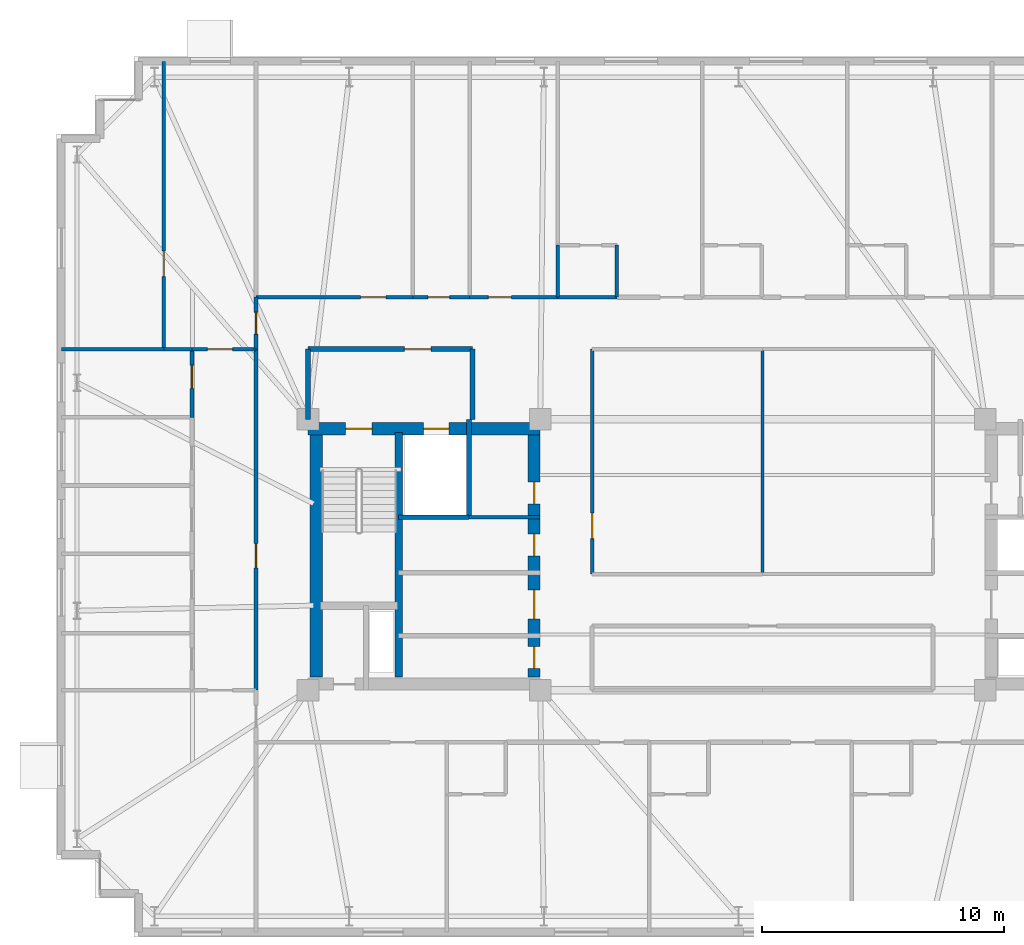
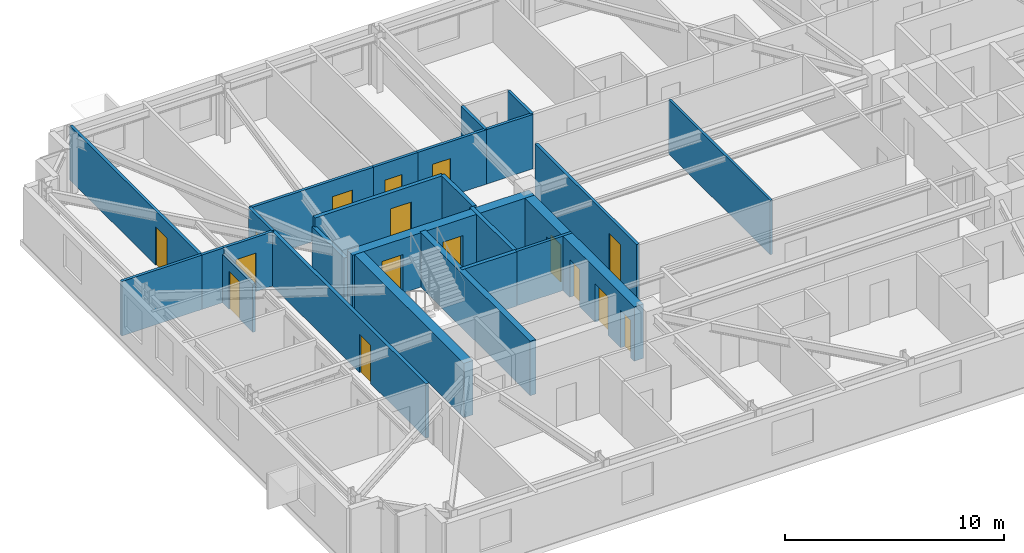
# One storey, part 12 of 18: 25 walls, 16 doors, 16 openings.
"""IFC4 building model written with IfcOpenShell, lengths in metres."""

import ifcopenshell
import ifcopenshell.guid

model = None  # the IFC model being written
_history = None  # IfcOwnerHistory: only IFC2X3 demands one
_inside = {}  # id of a spatial element -> (the spatial element, [elements in it])
_under = {}  # id of a project, library or spatial element -> (it, [spatial elements below it])
_declared = {}  # id of a project -> (the project, [libraries it declares])
_typed = {}  # id of a type object -> (the type object, [elements of that type])
_made_of = {}  # id of a material, layer set ... -> (it, [elements and type objects made of it])


def new_model(schema):
    """Start an empty IFC model of exactly this schema.

    Asked for "IFC4X3", IfcOpenShell would pick the latest addendum, in which some entities
    have other attributes; the version numbers below select the first issue.
    IFC2X3 requires an IfcOwnerHistory on every rooted entity: one is made here for all.
    """
    global model, _history
    if schema == "IFC4X3":
        model = ifcopenshell.file(schema_version=(4, 3, 0, 0))
    else:
        model = ifcopenshell.file(schema=schema)
    _inside.clear()
    _under.clear()
    _declared.clear()
    _typed.clear()
    _made_of.clear()
    _history = None
    if model.schema == "IFC2X3":
        org = make("IfcOrganization", Name="unknown")
        user = make(
            "IfcPersonAndOrganization",
            ThePerson=make("IfcPerson", FamilyName="unknown"),
            TheOrganization=org,
        )
        app = make(
            "IfcApplication",
            ApplicationDeveloper=org,
            Version="unknown",
            ApplicationFullName="unknown",
            ApplicationIdentifier="unknown",
        )
        _history = make(
            "IfcOwnerHistory",
            OwningUser=user,
            OwningApplication=app,
            ChangeAction="ADDED",
            CreationDate=0,
        )
    return model


def make(cls, **values):
    """One entity of the class cls with the attributes given. An attribute that is None is left unset."""
    return model.create_entity(
        cls, **{name: value for name, value in values.items() if value is not None}
    )


def rooted(cls, **values):
    """An entity with a GlobalId (a new one), such as an element, a storey or a relation."""
    return make(cls, GlobalId=ifcopenshell.guid.new(), OwnerHistory=_history, **values)


def si_unit(unit_type, name, prefix=None):
    """IfcSIUnit, for example si_unit("LENGTHUNIT", "METRE", prefix="MILLI")."""
    return make("IfcSIUnit", UnitType=unit_type, Prefix=prefix, Name=name)


def assignment(units):
    """IfcUnitAssignment: the units of a project."""
    return None if units is None else make("IfcUnitAssignment", Units=units)


def point(xyz):
    """IfcCartesianPoint."""
    return None if xyz is None else make("IfcCartesianPoint", Coordinates=xyz)


def direction(xyz):
    """IfcDirection."""
    return None if xyz is None else make("IfcDirection", DirectionRatios=xyz)


def frame(location, z_axis=None, x_axis=None):
    """IfcAxis2Placement3D, a coordinate frame: its origin and axes. An axis left out is left unset."""
    return make(
        "IfcAxis2Placement3D",
        Location=point(location),
        Axis=direction(z_axis),
        RefDirection=direction(x_axis),
    )


def frame_2d(location, x_axis=None):
    """IfcAxis2Placement2D, a coordinate frame in the plane: its origin and x axis."""
    return make(
        "IfcAxis2Placement2D", Location=point(location), RefDirection=direction(x_axis)
    )


def origin():
    """The frame at (0, 0, 0) with its axes left unset."""
    return frame((0.0, 0.0, 0.0))


def place(relative_to, where):
    """IfcLocalPlacement: puts the frame where relative to a parent placement (None: the world)."""
    return make(
        "IfcLocalPlacement", PlacementRelTo=relative_to, RelativePlacement=where
    )


def context(
    kind, dimensions, precision=None, world=None, true_north=None, identifier=None
):
    """IfcGeometricRepresentationContext, for example the 3D "Model" context."""
    return make(
        "IfcGeometricRepresentationContext",
        ContextIdentifier=identifier,
        ContextType=kind,
        CoordinateSpaceDimension=dimensions,
        Precision=precision,
        WorldCoordinateSystem=world,
        TrueNorth=true_north,
    )


def subcontext(parent, identifier, kind, view, scale=None):
    """IfcGeometricRepresentationSubContext, for example "Body" below "Model"."""
    return make(
        "IfcGeometricRepresentationSubContext",
        ContextIdentifier=identifier,
        ContextType=kind,
        ParentContext=parent,
        TargetScale=scale,
        TargetView=view,
    )


def project(units=None, contexts=None):
    """IfcProject with its units and contexts."""
    return rooted(
        "IfcProject",
        Name="project",
        RepresentationContexts=contexts,
        UnitsInContext=assignment(units),
    )


def spatial(cls, under=None, at=None, **own):
    """A site, building, storey or space (cls), placed at a placement, below another one or the project."""
    s = rooted(cls, ObjectPlacement=at, **own)
    if under is not None:
        _under.setdefault(under.id(), (under, []))[1].append(s)
    return s


def profile(cls, at=None, kind="AREA", **sizes):
    """A parametric profile (cls). Its sizes go by their IFC names, for example OverallWidth=200.0."""
    return make(cls, ProfileType=kind, Position=at, **sizes)


def rectangle(**sizes):
    """IfcRectangleProfileDef."""
    return profile("IfcRectangleProfileDef", **sizes)


def extrude(swept, where, along, depth):
    """IfcExtrudedAreaSolid: the profile swept, set in the frame where, extruded along a direction by depth."""
    return make(
        "IfcExtrudedAreaSolid",
        SweptArea=swept,
        Position=where,
        ExtrudedDirection=direction(along),
        Depth=depth,
    )


def shape(context_of_items, identifier, shape_type, items):
    """IfcShapeRepresentation: the items that make up one representation, for example the "Body"."""
    return make(
        "IfcShapeRepresentation",
        ContextOfItems=context_of_items,
        RepresentationIdentifier=identifier,
        RepresentationType=shape_type,
        Items=items,
    )


def material(Name=None, Category=None):
    """IfcMaterial."""
    return make("IfcMaterial", Name=Name, Category=Category)


def layer(
    of_material, thickness, ventilated=None, Name=None, Category=None, Priority=None
):
    """IfcMaterialLayer: one layer of a wall or slab, of a material (None: an air gap)."""
    return make(
        "IfcMaterialLayer",
        Material=of_material,
        LayerThickness=thickness,
        IsVentilated=ventilated,
        Name=Name,
        Category=Category,
        Priority=Priority,
    )


def layer_set(layers, Name=None):
    """IfcMaterialLayerSet."""
    return make("IfcMaterialLayerSet", MaterialLayers=layers, LayerSetName=Name)


def made_of(thing, what):
    """Note that an element or type object is made of a material, layer set ...; save() writes the relation."""
    if what is not None:
        _made_of.setdefault(what.id(), (what, []))[1].append(thing)
    return thing


def type_object(cls, material=None, **own):
    """A type object (cls), such as IfcWallType, which elements share."""
    return made_of(rooted(cls, **own), material)


def element(
    cls,
    number,
    at=None,
    inside=None,
    cuts=None,
    type_object=None,
    material=None,
    context=None,
    identifier="Body",
    shape_type=None,
    held_by="IfcProductDefinitionShape",
    body=None,
    shapes=None,
    **own,
):
    """One element of the class cls, such as IfcWall. Its Tag is "e" and its number.

    at: its placement. inside: the storey or other place that contains it. cuts: it is an
    opening in that element (IfcRelVoidsElement). A single representation is given by context,
    identifier, shape_type and body (its items); several are given by shapes. held_by: the class
    of the entity that holds the representations. save() writes the other relations.
    """
    e = rooted(cls, Tag="e%d" % number, ObjectPlacement=at, **own)
    if body is not None:
        shapes = [shape(context, identifier, shape_type, body)]
    if shapes is not None:
        e.Representation = make(held_by, Representations=shapes)
    if inside is not None:
        _inside.setdefault(inside.id(), (inside, []))[1].append(e)
    if cuts is not None:
        rooted(
            "IfcRelVoidsElement", RelatingBuildingElement=cuts, RelatedOpeningElement=e
        )
    if type_object is not None:
        _typed.setdefault(type_object.id(), (type_object, []))[1].append(e)
    return made_of(e, material)


def fill(opening, filler):
    """IfcRelFillsElement: the door or window that sits in an opening."""
    return rooted(
        "IfcRelFillsElement",
        RelatingOpeningElement=opening,
        RelatedBuildingElement=filler,
    )


def aggregate(whole, parts):
    """IfcRelAggregates: a whole, such as a stair, and the parts it consists of."""
    return rooted("IfcRelAggregates", RelatingObject=whole, RelatedObjects=parts)


def save(model, path):
    """Write the relations noted so far, then the file.

    IfcRelAggregates (storeys below a building ...), IfcRelContainedInSpatialStructure (elements
    in a storey), IfcRelDefinesByType, IfcRelAssociatesMaterial and IfcRelDeclares: one each for
    every whole, place, type object, material and project.
    """
    for whole, parts in _under.values():
        aggregate(whole, parts)
    for where, things in _inside.values():
        rooted(
            "IfcRelContainedInSpatialStructure",
            RelatedElements=things,
            RelatingStructure=where,
        )
    for kind, things in _typed.values():
        rooted("IfcRelDefinesByType", RelatedObjects=things, RelatingType=kind)
    for what, things in _made_of.values():
        rooted("IfcRelAssociatesMaterial", RelatedObjects=things, RelatingMaterial=what)
    for by, libraries in _declared.values():
        rooted("IfcRelDeclares", RelatingContext=by, RelatedDefinitions=libraries)
    model.write(path)


model = new_model("IFC4")

# Units and contexts
model_context = context("Model", 3, precision=1e-05, world=origin(), true_north=direction((0.0, 1.0)))
body_context = subcontext(model_context, "Body", "Model", "MODEL_VIEW")
ifc_project = project(units=[si_unit("LENGTHUNIT", "METRE"), si_unit("AREAUNIT", "SQUARE_METRE"), si_unit("VOLUMEUNIT", "CUBIC_METRE"), si_unit("PLANEANGLEUNIT", "RADIAN"), si_unit("MASSUNIT", "GRAM", prefix="KILO")], contexts=[model_context])

# Site, building, storey
site_placement = place(None, origin())
site = spatial("IfcSite", under=ifc_project, at=site_placement, CompositionType="ELEMENT")
building_placement = place(site_placement, origin())
building = spatial("IfcBuilding", under=site, at=building_placement, Name="Qobustan Lattice House", CompositionType="ELEMENT")
storey_placement = place(building_placement, frame((0.0, 0.0, 141.050048828125)))
storey = spatial("IfcBuildingStorey", under=building, at=storey_placement, Name="L39", CompositionType="ELEMENT", Elevation=141.050048828125)

# Wall, openings, doors
ifc_material_1 = material(Name="Concrete C50/60", Category="concrete")
ifc_layer_1 = layer(ifc_material_1, 0.5)
ifc_layer_set_1 = layer_set([ifc_layer_1], Name="Concrete C50/60")
wall_type_1 = type_object("IfcWallType", Name="WAL-CORE-500", PredefinedType="SHEAR", material=ifc_layer_set_1)
wall_1_placement = place(storey_placement, frame((-18.800048828125, 5.2099609375, 0.0), z_axis=(0.0, 0.0, 1.0), x_axis=(1.0, 0.0, 0.0)))
wall_1 = element("IfcWall", 1, at=wall_1_placement, inside=storey, type_object=wall_type_1, Name="L39 split-core shear wall CW-N", PredefinedType="SHEAR", context=body_context, shape_type="SweptSolid", body=[
    extrude(rectangle(XDim=9.60009765625, YDim=0.5, at=frame_2d((4.800048828125, 0.0))), origin(), (0.0, 0.0, 1.0), 3.0400390625),
])
opening_1_placement = place(wall_1_placement, frame((1.550048828125, 0.0, 0.0)))
opening_1 = element("IfcOpeningElement", 2, at=opening_1_placement, cuts=wall_1, Name="Opening SD-01", PredefinedType="OPENING", context=body_context, shape_type="SweptSolid", body=[
    extrude(rectangle(XDim=1.10009765625, YDim=2.14990234375, at=frame_2d((0.550048828125, 1.074951171875))), frame((0.0, 0.260009765625, 0.0), z_axis=(0.0, -1.0, 0.0), x_axis=(1.0, 0.0, 0.0)), (0.0, 0.0, 1.0), 0.52001953125),
])
opening_2_placement = place(wall_1_placement, frame((4.77490234375, 0.0, 0.0)))
opening_2 = element("IfcOpeningElement", 3, at=opening_2_placement, cuts=wall_1, Name="Opening LD-01", PredefinedType="OPENING", context=body_context, shape_type="SweptSolid", body=[
    extrude(rectangle(XDim=1.050048828125, YDim=2.10009765625, at=frame_2d((0.52490234375, 1.050048828125))), frame((0.0, 0.260009765625, 0.0), z_axis=(0.0, -1.0, 0.0), x_axis=(1.0, 0.0, 0.0)), (0.0, 0.0, 1.0), 0.52001953125),
])
ifc_material_2 = material(Name="Persian walnut timber and steel frame door", Category="steel")
door_type_1 = type_object("IfcDoorType", Name="DOR-LIFT-LD-1050x2100", OperationType="NOTDEFINED", PredefinedType="DOOR", material=ifc_material_2)
door_1_placement = place(opening_2_placement, origin())
door_1 = element("IfcDoor", 4, at=door_1_placement, inside=storey, type_object=door_type_1, Name="L39 firefighting lift FF-W landing door", OperationType="DOUBLE_DOOR_SLIDING", OverallHeight=2.10009765625, OverallWidth=1.050048828125, PredefinedType="DOOR", context=body_context, shape_type="SweptSolid", body=[
    extrude(rectangle(XDim=1.050048828125, YDim=2.10009765625, at=frame_2d((0.52490234375, 1.050048828125))), frame((0.0, 0.02490234375, 0.0), z_axis=(0.0, -1.0, 0.0), x_axis=(1.0, 0.0, 0.0)), (0.0, 0.0, 1.0), 0.050048828125),
])
fill(opening_2, door_1)
ifc_material_3 = material(Name="Persian walnut timber and steel frame door", Category="steel")
door_type_2 = type_object("IfcDoorType", Name="DOR-STAIR-FD-1100x2150", OperationType="NOTDEFINED", PredefinedType="DOOR", material=ifc_material_3)
door_2_placement = place(opening_1_placement, origin())
door_2 = element("IfcDoor", 5, at=door_2_placement, inside=storey, type_object=door_type_2, Name="L39 exit stair ST-W1 fire door", OperationType="SINGLE_SWING_RIGHT", OverallHeight=2.14990234375, OverallWidth=1.10009765625, PredefinedType="DOOR", context=body_context, shape_type="SweptSolid", body=[
    extrude(rectangle(XDim=1.10009765625, YDim=2.14990234375, at=frame_2d((0.550048828125, 1.074951171875))), frame((0.0, 0.02490234375, 0.0), z_axis=(0.0, -1.0, 0.0), x_axis=(1.0, 0.0, 0.0)), (0.0, 0.0, 1.0), 0.050048828125),
])
fill(opening_1, door_2)

# Wall
wall_2_placement = place(storey_placement, frame((-18.4599609375, -5.050048828125, 0.0), z_axis=(0.0, 0.0, 1.0), x_axis=(0.0, 1.0, 0.0)))
element("IfcWall", 6, at=wall_2_placement, inside=storey, type_object=wall_type_1, Name="L39 split-core shear wall CW-W", PredefinedType="SHEAR", context=body_context, shape_type="SweptSolid", body=[
    extrude(rectangle(XDim=10.10009765625, YDim=0.5, at=frame_2d((5.050048828125, 0.0))), origin(), (0.0, 0.0, 1.0), 3.0400390625),
])

# Wall, openings, doors
wall_3_placement = place(storey_placement, frame((-9.449951171875, -5.050048828125, 0.0), z_axis=(0.0, 0.0, 1.0), x_axis=(0.0, 1.0, 0.0)))
wall_3 = element("IfcWall", 7, at=wall_3_placement, inside=storey, type_object=wall_type_1, Name="L39 split-core shear wall CW-E", PredefinedType="SHEAR", context=body_context, shape_type="SweptSolid", body=[
    extrude(rectangle(XDim=10.10009765625, YDim=0.5, at=frame_2d((5.050048828125, 0.0))), origin(), (0.0, 0.0, 1.0), 3.0400390625),
])
opening_3_placement = place(wall_3_placement, frame((7.14990234375, 0.0, 0.0)))
opening_3 = element("IfcOpeningElement", 8, at=opening_3_placement, cuts=wall_3, Name="Opening RD-01", PredefinedType="OPENING", context=body_context, shape_type="SweptSolid", body=[
    extrude(rectangle(XDim=0.89990234375, YDim=2.10009765625, at=frame_2d((0.449951171875, 1.050048828125))), frame((0.0, 0.260009765625, 0.0), z_axis=(0.0, -1.0, 0.0), x_axis=(1.0, 0.0, 0.0)), (0.0, 0.0, 1.0), 0.52001953125),
])
opening_4_placement = place(wall_3_placement, frame((2.39990234375, 0.0, 0.0)))
opening_4 = element("IfcOpeningElement", 9, at=opening_4_placement, cuts=wall_3, Name="Opening FD-01", PredefinedType="OPENING", context=body_context, shape_type="SweptSolid", body=[
    extrude(rectangle(XDim=1.199951171875, YDim=2.14990234375, at=frame_2d((0.60009765625, 1.074951171875))), frame((0.0, 0.260009765625, 0.0), z_axis=(0.0, -1.0, 0.0), x_axis=(1.0, 0.0, 0.0)), (0.0, 0.0, 1.0), 0.52001953125),
])
opening_5_placement = place(wall_3_placement, frame((0.35009765625, 0.0, 0.0)))
opening_5 = element("IfcOpeningElement", 10, at=opening_5_placement, cuts=wall_3, Name="Opening RD-01", PredefinedType="OPENING", context=body_context, shape_type="SweptSolid", body=[
    extrude(rectangle(XDim=0.89990234375, YDim=2.10009765625, at=frame_2d((0.449951171875, 1.050048828125))), frame((0.0, 0.260009765625, 0.0), z_axis=(0.0, -1.0, 0.0), x_axis=(1.0, 0.0, 0.0)), (0.0, 0.0, 1.0), 0.52001953125),
])
opening_6_placement = place(wall_3_placement, frame((5.0, 0.0, 0.0)))
opening_6 = element("IfcOpeningElement", 11, at=opening_6_placement, cuts=wall_3, Name="Opening RD-01", PredefinedType="OPENING", context=body_context, shape_type="SweptSolid", body=[
    extrude(rectangle(XDim=0.89990234375, YDim=2.10009765625, at=frame_2d((0.449951171875, 1.050048828125))), frame((0.0, 0.260009765625, 0.0), z_axis=(0.0, -1.0, 0.0), x_axis=(1.0, 0.0, 0.0)), (0.0, 0.0, 1.0), 0.52001953125),
])
ifc_material_4 = material(Name="Persian walnut timber and steel frame door", Category="steel")
door_type_3 = type_object("IfcDoorType", Name="DOR-LOBBY-FD-1200x2150", OperationType="NOTDEFINED", PredefinedType="DOOR", material=ifc_material_4)
door_3_placement = place(opening_4_placement, origin())
door_3 = element("IfcDoor", 12, at=door_3_placement, inside=storey, type_object=door_type_3, Name="L39 West core foyer fire door", OperationType="SINGLE_SWING_RIGHT", OverallHeight=2.14990234375, OverallWidth=1.199951171875, PredefinedType="DOOR", context=body_context, shape_type="SweptSolid", body=[
    extrude(rectangle(XDim=1.199951171875, YDim=2.14990234375, at=frame_2d((0.60009765625, 1.074951171875))), frame((0.0, 0.02490234375, 0.0), z_axis=(0.0, -1.0, 0.0), x_axis=(1.0, 0.0, 0.0)), (0.0, 0.0, 1.0), 0.050048828125),
])
fill(opening_4, door_3)
ifc_material_5 = material(Name="Persian walnut timber and steel frame door", Category="steel")
door_type_4 = type_object("IfcDoorType", Name="DOR-RISER-FD-900x2100", OperationType="NOTDEFINED", PredefinedType="DOOR", material=ifc_material_5)
door_4_placement = place(opening_3_placement, origin())
door_4 = element("IfcDoor", 13, at=door_4_placement, inside=storey, type_object=door_type_4, Name="L39 Floor tea pantry fire door", OperationType="SINGLE_SWING_LEFT", OverallHeight=2.10009765625, OverallWidth=0.89990234375, PredefinedType="DOOR", context=body_context, shape_type="SweptSolid", body=[
    extrude(rectangle(XDim=0.89990234375, YDim=2.10009765625, at=frame_2d((0.449951171875, 1.050048828125))), frame((0.0, 0.02490234375, 0.0), z_axis=(0.0, -1.0, 0.0), x_axis=(1.0, 0.0, 0.0)), (0.0, 0.0, 1.0), 0.050048828125),
])
fill(opening_3, door_4)
door_5_placement = place(opening_5_placement, origin())
door_5 = element("IfcDoor", 14, at=door_5_placement, inside=storey, type_object=door_type_4, Name="L39 Tutorial seminar salon fire door", OperationType="SINGLE_SWING_LEFT", OverallHeight=2.10009765625, OverallWidth=0.89990234375, PredefinedType="DOOR", context=body_context, shape_type="SweptSolid", body=[
    extrude(rectangle(XDim=0.89990234375, YDim=2.10009765625, at=frame_2d((0.449951171875, 1.050048828125))), frame((0.0, 0.02490234375, 0.0), z_axis=(0.0, -1.0, 0.0), x_axis=(1.0, 0.0, 0.0)), (0.0, 0.0, 1.0), 0.050048828125),
])
fill(opening_5, door_5)
door_6_placement = place(opening_6_placement, origin())
door_6 = element("IfcDoor", 15, at=door_6_placement, inside=storey, type_object=door_type_4, Name="L39 Copy and tea hub fire door", OperationType="SINGLE_SWING_RIGHT", OverallHeight=2.10009765625, OverallWidth=0.89990234375, PredefinedType="DOOR", context=body_context, shape_type="SweptSolid", body=[
    extrude(rectangle(XDim=0.89990234375, YDim=2.10009765625, at=frame_2d((0.449951171875, 1.050048828125))), frame((0.0, 0.02490234375, 0.0), z_axis=(0.0, -1.0, 0.0), x_axis=(1.0, 0.0, 0.0)), (0.0, 0.0, 1.0), 0.050048828125),
])
fill(opening_6, door_6)

# Wall
ifc_material_6 = material(Name="Concrete C50/60", Category="concrete")
ifc_layer_2 = layer(ifc_material_6, 0.280029296875)
ifc_layer_set_2 = layer_set([ifc_layer_2], Name="Concrete C50/60")
wall_type_2 = type_object("IfcWallType", Name="WAL-CORE-SPINE-280", PredefinedType="SHEAR", material=ifc_layer_set_2)
wall_4_placement = place(storey_placement, frame((-15.050048828125, -5.050048828125, 0.0), z_axis=(0.0, 0.0, 1.0), x_axis=(0.0, 1.0, 0.0)))
element("IfcWall", 16, at=wall_4_placement, inside=storey, type_object=wall_type_2, Name="L39 split-core shear wall CW-M", PredefinedType="SHEAR", context=body_context, shape_type="SweptSolid", body=[
    extrude(rectangle(XDim=10.10009765625, YDim=0.300048828125, at=frame_2d((5.050048828125, 0.0))), origin(), (0.0, 0.0, 1.0), 3.0400390625),
])

# Wall, opening, door
ifc_material_7 = material(Name="Gypsum fireboard acoustic partition", Category="gypsum")
ifc_layer_3 = layer(ifc_material_7, 0.179931640625)
ifc_layer_set_3 = layer_set([ifc_layer_3], Name="Gypsum fireboard acoustic partition")
wall_type_3 = type_object("IfcWallType", Name="WAL-FIRE-180", PredefinedType="PARTITIONING", material=ifc_layer_set_3)
wall_5_placement = place(storey_placement, frame((-20.949951171875, -5.60009765625, 0.0), z_axis=(0.0, 0.0, 1.0), x_axis=(0.0, 1.0, 0.0)))
wall_5 = element("IfcWall", 17, at=wall_5_placement, inside=storey, type_object=wall_type_3, Name="L39 interior partition 60", PredefinedType="PARTITIONING", context=body_context, shape_type="SweptSolid", body=[
    extrude(rectangle(XDim=14.10009765625, YDim=0.179931640625, at=frame_2d((7.050048828125, 0.0))), origin(), (0.0, 0.0, 1.0), 3.0400390625),
])
opening_7_placement = place(wall_5_placement, frame((5.0576171875, 0.0, 0.0)))
opening_7 = element("IfcOpeningElement", 18, at=opening_7_placement, cuts=wall_5, Name="Opening FD-02", PredefinedType="OPENING", context=body_context, shape_type="SweptSolid", body=[
    extrude(rectangle(XDim=1.0, YDim=2.14990234375, at=frame_2d((0.5, 1.074951171875))), frame((0.0, 0.099853515625, 0.0), z_axis=(0.0, -1.0, 0.0), x_axis=(1.0, 0.0, 0.0)), (0.0, 0.0, 1.0), 0.199951171875),
])
ifc_material_8 = material(Name="Persian walnut timber and steel frame door", Category="steel")
door_type_5 = type_object("IfcDoorType", Name="DOR-UNIT-FD-1000x2150", OperationType="NOTDEFINED", PredefinedType="DOOR", material=ifc_material_8)
door_7_placement = place(opening_7_placement, origin())
door_7 = element("IfcDoor", 19, at=door_7_placement, inside=storey, type_object=door_type_5, Name="L39 West wing spine gallery to Residence entrance hall L39W door", OperationType="SINGLE_SWING_RIGHT", OverallHeight=2.14990234375, OverallWidth=1.0, PredefinedType="DOOR", context=body_context, shape_type="SweptSolid", body=[
    extrude(rectangle(XDim=1.0, YDim=2.14990234375, at=frame_2d((0.5, 1.074951171875))), frame((0.0, 0.02490234375, 0.0), z_axis=(0.0, -1.0, 0.0), x_axis=(1.0, 0.0, 0.0)), (0.0, 0.0, 1.0), 0.050048828125),
])
fill(opening_7, door_7)

# Walls
ifc_material_9 = material(Name="Lightweight acoustic stud partition", Category="gypsum")
ifc_layer_4 = layer(ifc_material_9, 0.125)
ifc_layer_set_4 = layer_set([ifc_layer_4], Name="Lightweight acoustic stud partition")
wall_type_4 = type_object("IfcWallType", Name="WAL-PART-125", PredefinedType="PARTITIONING", material=ifc_layer_set_4)
wall_6_placement = place(storey_placement, frame((0.0, 8.5, 0.0), z_axis=(0.0, 0.0, 1.0), x_axis=(0.0, -1.0, 0.0)))
element("IfcWall", 20, at=wall_6_placement, inside=storey, type_object=wall_type_4, Name="L39 interior partition 133", PredefinedType="PARTITIONING", context=body_context, shape_type="SweptSolid", body=[
    extrude(rectangle(XDim=9.300048828125, YDim=0.125, at=frame_2d((4.64990234375, 0.0))), origin(), (0.0, 0.0, 1.0), 3.0400390625),
])
ifc_material_10 = material(Name="Acoustic twin-stud gypsum partition", Category="gypsum")
ifc_layer_5 = layer(ifc_material_10, 0.14990234375)
ifc_layer_set_5 = layer_set([ifc_layer_5], Name="Acoustic twin-stud gypsum partition")
wall_type_5 = type_object("IfcWallType", Name="WAL-PART-150", PredefinedType="PARTITIONING", material=ifc_layer_set_5)
wall_7_placement = place(storey_placement, frame((-12.14990234375, 1.550048828125, 0.0), z_axis=(0.0, 0.0, 1.0), x_axis=(1.0, 0.0, 0.0)))
element("IfcWall", 21, at=wall_7_placement, inside=storey, type_object=wall_type_5, Name="L39 interior partition 6", PredefinedType="PARTITIONING", context=body_context, shape_type="SweptSolid", body=[
    extrude(rectangle(XDim=2.949951171875, YDim=0.14990234375, at=frame_2d((1.47509765625, 0.0))), origin(), (0.0, 0.0, 1.0), 3.0400390625),
])

# Wall, opening, door
wall_8_placement = place(storey_placement, frame((-20.949951171875, 8.5, 0.0), z_axis=(0.0, 0.0, 1.0), x_axis=(0.0, 1.0, 0.0)))
wall_8 = element("IfcWall", 22, at=wall_8_placement, inside=storey, type_object=wall_type_5, Name="L39 interior partition 31", PredefinedType="PARTITIONING", context=body_context, shape_type="SweptSolid", body=[
    extrude(rectangle(XDim=2.14990234375, YDim=0.14990234375, at=frame_2d((1.074951171875, 0.0))), origin(), (0.0, 0.0, 1.0), 3.0400390625),
])
opening_8_placement = place(wall_8_placement, frame((0.625, 0.0, 0.0)))
opening_8 = element("IfcOpeningElement", 23, at=opening_8_placement, cuts=wall_8, Name="Opening WD-01", PredefinedType="OPENING", context=body_context, shape_type="SweptSolid", body=[
    extrude(rectangle(XDim=0.89990234375, YDim=2.10009765625, at=frame_2d((0.449951171875, 1.050048828125))), frame((0.0, 0.0849609375, 0.0), z_axis=(0.0, -1.0, 0.0), x_axis=(1.0, 0.0, 0.0)), (0.0, 0.0, 1.0), 0.169921875),
])
ifc_material_11 = material(Name="Persian walnut timber and steel frame door", Category="steel")
door_type_6 = type_object("IfcDoorType", Name="DOR-WET-900x2100", OperationType="NOTDEFINED", PredefinedType="DOOR", material=ifc_material_11)
door_8_placement = place(opening_8_placement, origin())
door_8 = element("IfcDoor", 24, at=door_8_placement, inside=storey, type_object=door_type_6, Name="L39 North-west floor corridor to Reading seminar room L39WN door", OperationType="SINGLE_SWING_LEFT", OverallHeight=2.10009765625, OverallWidth=0.89990234375, PredefinedType="DOOR", context=body_context, shape_type="SweptSolid", body=[
    extrude(rectangle(XDim=0.89990234375, YDim=2.10009765625, at=frame_2d((0.449951171875, 1.050048828125))), frame((0.0, 0.02490234375, 0.0), z_axis=(0.0, -1.0, 0.0), x_axis=(1.0, 0.0, 0.0)), (0.0, 0.0, 1.0), 0.050048828125),
])
fill(opening_8, door_8)

wall_9_placement = place(storey_placement, frame((-20.949951171875, 10.64990234375, 0.0), z_axis=(0.0, 0.0, 1.0), x_axis=(1.0, 0.0, 0.0)))
wall_9 = element("IfcWall", 25, at=wall_9_placement, inside=storey, type_object=wall_type_5, Name="L39 interior partition 32", PredefinedType="PARTITIONING", context=body_context, shape_type="SweptSolid", body=[
    extrude(rectangle(XDim=6.48583984375, YDim=0.14990234375, at=frame_2d((3.242919921875, 0.0))), origin(), (0.0, 0.0, 1.0), 3.0400390625),
])
opening_9_placement = place(wall_9_placement, frame((4.321533203125, 0.0, 0.0)))
opening_9 = element("IfcOpeningElement", 26, at=opening_9_placement, cuts=wall_9, Name="Opening ID-02", PredefinedType="OPENING", context=body_context, shape_type="SweptSolid", body=[
    extrude(rectangle(XDim=1.050048828125, YDim=2.14990234375, at=frame_2d((0.52490234375, 1.074951171875))), frame((0.0, 0.0849609375, 0.0), z_axis=(0.0, -1.0, 0.0), x_axis=(1.0, 0.0, 0.0)), (0.0, 0.0, 1.0), 0.169921875),
])
ifc_material_12 = material(Name="Persian walnut timber and steel frame door", Category="steel")
door_type_7 = type_object("IfcDoorType", Name="DOR-STUDY-1050x2150", OperationType="NOTDEFINED", PredefinedType="DOOR", material=ifc_material_12)
door_9_placement = place(opening_9_placement, origin())
door_9 = element("IfcDoor", 27, at=door_9_placement, inside=storey, type_object=door_type_7, Name="L39 North-west floor corridor to Focus study room N1 door", OperationType="SINGLE_SWING_RIGHT", OverallHeight=2.14990234375, OverallWidth=1.050048828125, PredefinedType="DOOR", context=body_context, shape_type="SweptSolid", body=[
    extrude(rectangle(XDim=1.050048828125, YDim=2.14990234375, at=frame_2d((0.52490234375, 1.074951171875))), frame((0.0, 0.02490234375, 0.0), z_axis=(0.0, -1.0, 0.0), x_axis=(1.0, 0.0, 0.0)), (0.0, 0.0, 1.0), 0.050048828125),
])
fill(opening_9, door_9)

wall_10_placement = place(storey_placement, frame((-12.114013671875, 10.64990234375, 0.0), z_axis=(0.0, 0.0, 1.0), x_axis=(1.0, 0.0, 0.0)))
wall_10 = element("IfcWall", 28, at=wall_10_placement, inside=storey, type_object=wall_type_5, Name="L39 interior partition 34", PredefinedType="PARTITIONING", context=body_context, shape_type="SweptSolid", body=[
    extrude(rectangle(XDim=3.635009765625, YDim=0.14990234375, at=frame_2d((1.8173828125, 0.0))), origin(), (0.0, 0.0, 1.0), 3.0400390625),
])
opening_10_placement = place(wall_10_placement, frame((0.7705078125, 0.0, 0.0)))
opening_10 = element("IfcOpeningElement", 29, at=opening_10_placement, cuts=wall_10, Name="Opening ID-01", PredefinedType="OPENING", context=body_context, shape_type="SweptSolid", body=[
    extrude(rectangle(XDim=0.949951171875, YDim=2.10009765625, at=frame_2d((0.47509765625, 1.050048828125))), frame((0.0, 0.0849609375, 0.0), z_axis=(0.0, -1.0, 0.0), x_axis=(1.0, 0.0, 0.0)), (0.0, 0.0, 1.0), 0.169921875),
])
ifc_material_13 = material(Name="Persian walnut timber and steel frame door", Category="steel")
door_type_8 = type_object("IfcDoorType", Name="DOR-ROOM-950x2100", OperationType="NOTDEFINED", PredefinedType="DOOR", material=ifc_material_13)
door_10_placement = place(opening_10_placement, origin())
door_10 = element("IfcDoor", 30, at=door_10_placement, inside=storey, type_object=door_type_8, Name="L39 North-west floor corridor to Laundry utility room door", OperationType="SINGLE_SWING_RIGHT", OverallHeight=2.10009765625, OverallWidth=0.949951171875, PredefinedType="DOOR", context=body_context, shape_type="SweptSolid", body=[
    extrude(rectangle(XDim=0.949951171875, YDim=2.10009765625, at=frame_2d((0.47509765625, 1.050048828125))), frame((0.0, 0.02490234375, 0.0), z_axis=(0.0, -1.0, 0.0), x_axis=(1.0, 0.0, 0.0)), (0.0, 0.0, 1.0), 0.050048828125),
])
fill(opening_10, door_10)

wall_11_placement = place(storey_placement, frame((-7.050048828125, 8.5, 0.0), z_axis=(0.0, 0.0, 1.0), x_axis=(0.0, -1.0, 0.0)))
wall_11 = element("IfcWall", 31, at=wall_11_placement, inside=storey, type_object=wall_type_5, Name="L39 interior partition 65", PredefinedType="PARTITIONING", context=body_context, shape_type="SweptSolid", body=[
    extrude(rectangle(XDim=9.300048828125, YDim=0.14990234375, at=frame_2d((4.64990234375, 0.0))), origin(), (0.0, 0.0, 1.0), 3.0400390625),
])
opening_11_placement = place(wall_11_placement, frame((6.78369140625, 0.0, 0.0)))
opening_11 = element("IfcOpeningElement", 32, at=opening_11_placement, cuts=wall_11, Name="Opening ID-02", PredefinedType="OPENING", context=body_context, shape_type="SweptSolid", body=[
    extrude(rectangle(XDim=1.050048828125, YDim=2.14990234375, at=frame_2d((0.52490234375, 1.074951171875))), frame((0.0, 0.0849609375, 0.0), z_axis=(0.0, -1.0, 0.0), x_axis=(1.0, 0.0, 0.0)), (0.0, 0.0, 1.0), 0.169921875),
])
door_11_placement = place(opening_11_placement, origin())
door_11 = element("IfcDoor", 33, at=door_11_placement, inside=storey, type_object=door_type_7, Name="L39 West floor link corridor to Central study commons door", OperationType="SINGLE_SWING_LEFT", OverallHeight=2.14990234375, OverallWidth=1.050048828125, PredefinedType="DOOR", context=body_context, shape_type="SweptSolid", body=[
    extrude(rectangle(XDim=1.050048828125, YDim=2.14990234375, at=frame_2d((0.52490234375, 1.074951171875))), frame((0.0, 0.02490234375, 0.0), z_axis=(0.0, -1.0, 0.0), x_axis=(1.0, 0.0, 0.0)), (0.0, 0.0, 1.0), 0.050048828125),
])
fill(opening_11, door_11)

wall_12_placement = place(storey_placement, frame((-23.60009765625, 8.5, 0.0), z_axis=(0.0, 0.0, 1.0), x_axis=(1.0, 0.0, 0.0)))
wall_12 = element("IfcWall", 34, at=wall_12_placement, inside=storey, type_object=wall_type_5, Name="L39 interior partition 69", PredefinedType="PARTITIONING", context=body_context, shape_type="SweptSolid", body=[
    extrude(rectangle(XDim=2.650146484375, YDim=0.14990234375, at=frame_2d((1.3251953125, 0.0))), origin(), (0.0, 0.0, 1.0), 3.0400390625),
])
opening_12_placement = place(wall_12_placement, frame((0.635009765625, 0.0, 0.0)))
opening_12 = element("IfcOpeningElement", 35, at=opening_12_placement, cuts=wall_12, Name="Opening ID-02", PredefinedType="OPENING", context=body_context, shape_type="SweptSolid", body=[
    extrude(rectangle(XDim=1.050048828125, YDim=2.14990234375, at=frame_2d((0.52490234375, 1.074951171875))), frame((0.0, 0.0849609375, 0.0), z_axis=(0.0, -1.0, 0.0), x_axis=(1.0, 0.0, 0.0)), (0.0, 0.0, 1.0), 0.169921875),
])
door_12_placement = place(opening_12_placement, origin())
door_12 = element("IfcDoor", 36, at=door_12_placement, inside=storey, type_object=door_type_7, Name="L39 Residence entrance hall L39W to Reading seminar room L39WN door", OperationType="SINGLE_SWING_LEFT", OverallHeight=2.14990234375, OverallWidth=1.050048828125, PredefinedType="DOOR", context=body_context, shape_type="SweptSolid", body=[
    extrude(rectangle(XDim=1.050048828125, YDim=2.14990234375, at=frame_2d((0.52490234375, 1.074951171875))), frame((0.0, 0.02490234375, 0.0), z_axis=(0.0, -1.0, 0.0), x_axis=(1.0, 0.0, 0.0)), (0.0, 0.0, 1.0), 0.050048828125),
])
fill(opening_12, door_12)

wall_13_placement = place(storey_placement, frame((-23.60009765625, 5.679931640625, 0.0), z_axis=(0.0, 0.0, 1.0), x_axis=(0.0, 1.0, 0.0)))
wall_13 = element("IfcWall", 37, at=wall_13_placement, inside=storey, type_object=wall_type_5, Name="L39 interior partition 75", PredefinedType="PARTITIONING", context=body_context, shape_type="SweptSolid", body=[
    extrude(rectangle(XDim=2.820068359375, YDim=0.14990234375, at=frame_2d((1.41015625, 0.0))), origin(), (0.0, 0.0, 1.0), 2.695068359375),
])
opening_13_placement = place(wall_13_placement, frame((1.201171875, 0.0, 0.0)))
opening_13 = element("IfcOpeningElement", 38, at=opening_13_placement, cuts=wall_13, Name="Opening ID-01", PredefinedType="OPENING", context=body_context, shape_type="SweptSolid", body=[
    extrude(rectangle(XDim=0.949951171875, YDim=2.10009765625, at=frame_2d((0.47509765625, 1.050048828125))), frame((0.0, 0.0849609375, 0.0), z_axis=(0.0, -1.0, 0.0), x_axis=(1.0, 0.0, 0.0)), (0.0, 0.0, 1.0), 0.169921875),
])
door_13_placement = place(opening_13_placement, origin())
door_13 = element("IfcDoor", 39, at=door_13_placement, inside=storey, type_object=door_type_8, Name="L39 Residence entrance hall L39W to Cluster bedroom L39W3 door", OperationType="SINGLE_SWING_LEFT", OverallHeight=2.10009765625, OverallWidth=0.949951171875, PredefinedType="DOOR", context=body_context, shape_type="SweptSolid", body=[
    extrude(rectangle(XDim=0.949951171875, YDim=2.10009765625, at=frame_2d((0.47509765625, 1.050048828125))), frame((0.0, 0.02490234375, 0.0), z_axis=(0.0, -1.0, 0.0), x_axis=(1.0, 0.0, 0.0)), (0.0, 0.0, 1.0), 0.050048828125),
])
fill(opening_13, door_13)

wall_14_placement = place(storey_placement, frame((-24.764892578125, 8.5, 0.0), z_axis=(0.0, 0.0, 1.0), x_axis=(0.0, 1.0, 0.0)))
wall_14 = element("IfcWall", 40, at=wall_14_placement, inside=storey, type_object=wall_type_5, Name="L39 interior partition 76", PredefinedType="PARTITIONING", context=body_context, shape_type="SweptSolid", body=[
    extrude(rectangle(XDim=11.89990234375, YDim=0.14990234375, at=frame_2d((5.949951171875, 0.0))), origin(), (0.0, 0.0, 1.0), 3.0400390625),
])
opening_14_placement = place(wall_14_placement, frame((3.00244140625, 0.0, 0.0)))
opening_14 = element("IfcOpeningElement", 41, at=opening_14_placement, cuts=wall_14, Name="Opening ID-02", PredefinedType="OPENING", context=body_context, shape_type="SweptSolid", body=[
    extrude(rectangle(XDim=1.050048828125, YDim=2.14990234375, at=frame_2d((0.52490234375, 1.074951171875))), frame((0.0, 0.0849609375, 0.0), z_axis=(0.0, -1.0, 0.0), x_axis=(1.0, 0.0, 0.0)), (0.0, 0.0, 1.0), 0.169921875),
])
door_14_placement = place(opening_14_placement, origin())
door_14 = element("IfcDoor", 42, at=door_14_placement, inside=storey, type_object=door_type_7, Name="L39 Reading seminar room L39WN to Collaborative study room L39WN door", OperationType="SINGLE_SWING_RIGHT", OverallHeight=2.14990234375, OverallWidth=1.050048828125, PredefinedType="DOOR", context=body_context, shape_type="SweptSolid", body=[
    extrude(rectangle(XDim=1.050048828125, YDim=2.14990234375, at=frame_2d((0.52490234375, 1.074951171875))), frame((0.0, 0.02490234375, 0.0), z_axis=(0.0, -1.0, 0.0), x_axis=(1.0, 0.0, 0.0)), (0.0, 0.0, 1.0), 0.050048828125),
])
fill(opening_14, door_14)

# Walls
wall_15_placement = place(storey_placement, frame((-23.60009765625, 8.5, 0.0), z_axis=(0.0, 0.0, 1.0), x_axis=(-1.0, 0.0, 0.0)))
element("IfcWall", 43, at=wall_15_placement, inside=storey, type_object=wall_type_5, Name="L39 interior partition 77", PredefinedType="PARTITIONING", context=body_context, shape_type="SweptSolid", body=[
    extrude(rectangle(XDim=1.164794921875, YDim=0.14990234375, at=frame_2d((0.58251953125, 0.0))), origin(), (0.0, 0.0, 1.0), 3.0400390625),
])
wall_16_placement = place(storey_placement, frame((-24.764892578125, 8.5, 0.0), z_axis=(0.0, 0.0, 1.0), x_axis=(-1.0, 0.0, 0.0)))
element("IfcWall", 44, at=wall_16_placement, inside=storey, type_object=wall_type_5, Name="L39 interior partition 79", PredefinedType="PARTITIONING", context=body_context, shape_type="SweptSolid", body=[
    extrude(rectangle(XDim=4.235107421875, YDim=0.14990234375, at=frame_2d((2.11767578125, 0.0))), origin(), (0.0, 0.0, 1.0), 3.0400390625),
])

# Wall, opening, door
ifc_material_14 = material(Name="Two-hour gypsum fireboard acoustic partition", Category="gypsum")
ifc_layer_6 = layer(ifc_material_14, 0.199951171875)
ifc_layer_set_6 = layer_set([ifc_layer_6], Name="Two-hour gypsum fireboard acoustic partition")
wall_type_6 = type_object("IfcWallType", Name="WAL-PROT-200", PredefinedType="PARTITIONING", material=ifc_layer_set_6)
wall_17_placement = place(storey_placement, frame((-12.0, 8.5, 0.0), z_axis=(0.0, 0.0, 1.0), x_axis=(-1.0, 0.0, 0.0)))
wall_17 = element("IfcWall", 45, at=wall_17_placement, inside=storey, type_object=wall_type_6, Name="L39 interior partition 3", PredefinedType="PARTITIONING", context=body_context, shape_type="SweptSolid", body=[
    extrude(rectangle(XDim=6.800048828125, YDim=0.199951171875, at=frame_2d((3.39990234375, 0.0))), origin(), (0.0, 0.0, 1.0), 3.0400390625),
])
opening_15_placement = place(wall_17_placement, frame((1.715087890625, 0.0, 0.0)))
opening_15 = element("IfcOpeningElement", 46, at=opening_15_placement, cuts=wall_17, Name="Opening SD-01", PredefinedType="OPENING", context=body_context, shape_type="SweptSolid", body=[
    extrude(rectangle(XDim=1.10009765625, YDim=2.14990234375, at=frame_2d((0.550048828125, 1.074951171875))), frame((0.0, 0.10986328125, 0.0), z_axis=(0.0, -1.0, 0.0), x_axis=(1.0, 0.0, 0.0)), (0.0, 0.0, 1.0), 0.219970703125),
])
door_15_placement = place(opening_15_placement, origin())
door_15 = element("IfcDoor", 47, at=door_15_placement, inside=storey, type_object=door_type_2, Name="L39 West firefighting lift lobby to North-west floor corridor door", OperationType="SINGLE_SWING_RIGHT", OverallHeight=2.14990234375, OverallWidth=1.10009765625, PredefinedType="DOOR", context=body_context, shape_type="SweptSolid", body=[
    extrude(rectangle(XDim=1.10009765625, YDim=2.14990234375, at=frame_2d((0.550048828125, 1.074951171875))), frame((0.0, 0.02490234375, 0.0), z_axis=(0.0, -1.0, 0.0), x_axis=(1.0, 0.0, 0.0)), (0.0, 0.0, 1.0), 0.050048828125),
])
fill(opening_15, door_15)

# Walls
wall_18_placement = place(storey_placement, frame((-18.800048828125, 8.5, 0.0), z_axis=(0.0, 0.0, 1.0), x_axis=(0.0, -1.0, 0.0)))
element("IfcWall", 48, at=wall_18_placement, inside=storey, type_object=wall_type_6, Name="L39 interior partition 4", PredefinedType="PARTITIONING", context=body_context, shape_type="SweptSolid", body=[
    extrude(rectangle(XDim=2.89990234375, YDim=0.199951171875, at=frame_2d((1.449951171875, 0.0))), origin(), (0.0, 0.0, 1.0), 2.52490234375),
])
wall_19_placement = place(storey_placement, frame((-12.0, 5.60009765625, 0.0), z_axis=(0.0, 0.0, 1.0), x_axis=(0.0, 1.0, 0.0)))
element("IfcWall", 49, at=wall_19_placement, inside=storey, type_object=wall_type_6, Name="L39 interior partition 5", PredefinedType="PARTITIONING", context=body_context, shape_type="SweptSolid", body=[
    extrude(rectangle(XDim=2.89990234375, YDim=0.199951171875, at=frame_2d((1.449951171875, 0.0))), origin(), (0.0, 0.0, 1.0), 3.0400390625),
])
ifc_material_15 = material(Name="Concrete C40/50", Category="concrete")
ifc_layer_7 = layer(ifc_material_15, 0.199951171875)
ifc_layer_set_7 = layer_set([ifc_layer_7], Name="Concrete C40/50")
wall_type_7 = type_object("IfcWallType", Name="WAL-SHAFT-200", PredefinedType="PARTITIONING", material=ifc_layer_set_7)
wall_20_placement = place(storey_placement, frame((-12.14990234375, 1.550048828125, 0.0), z_axis=(0.0, 0.0, 1.0), x_axis=(0.0, 1.0, 0.0)))
element("IfcWall", 50, at=wall_20_placement, inside=storey, type_object=wall_type_7, Name="L39 interior partition 2", PredefinedType="PARTITIONING", context=body_context, shape_type="SweptSolid", body=[
    extrude(rectangle(XDim=4.050048828125, YDim=0.199951171875, at=frame_2d((2.02490234375, 0.0))), origin(), (0.0, 0.0, 1.0), 3.0400390625),
])
wall_21_placement = place(storey_placement, frame((-15.050048828125, 1.550048828125, 0.0), z_axis=(0.0, 0.0, 1.0), x_axis=(1.0, 0.0, 0.0)))
element("IfcWall", 51, at=wall_21_placement, inside=storey, type_object=wall_type_7, Name="L39 interior partition 134", PredefinedType="PARTITIONING", context=body_context, shape_type="SweptSolid", body=[
    extrude(rectangle(XDim=2.900146484375, YDim=0.199951171875, at=frame_2d((1.4501953125, 0.0))), origin(), (0.0, 0.0, 1.0), 3.0400390625),
])

# Wall, opening, door
ifc_material_16 = material(Name="Moisture-resistant acoustic plumbing wall", Category="gypsum")
ifc_layer_8 = layer(ifc_material_16, 0.14990234375)
ifc_layer_set_8 = layer_set([ifc_layer_8], Name="Moisture-resistant acoustic plumbing wall")
wall_type_8 = type_object("IfcWallType", Name="WAL-WET-150", PredefinedType="PLUMBINGWALL", material=ifc_layer_set_8)
wall_22_placement = place(storey_placement, frame((-14.464111328125, 10.64990234375, 0.0), z_axis=(0.0, 0.0, 1.0), x_axis=(1.0, 0.0, 0.0)))
wall_22 = element("IfcWall", 52, at=wall_22_placement, inside=storey, type_object=wall_type_8, Name="L39 interior partition 33", PredefinedType="PLUMBINGWALL", context=body_context, shape_type="SweptSolid", body=[
    extrude(rectangle(XDim=2.35009765625, YDim=0.14990234375, at=frame_2d((1.175048828125, 0.0))), origin(), (0.0, 0.0, 1.0), 3.0400390625),
])
opening_16_placement = place(wall_22_placement, frame((0.6162109375, 0.0, 0.0)))
opening_16 = element("IfcOpeningElement", 53, at=opening_16_placement, cuts=wall_22, Name="Opening WD-01", PredefinedType="OPENING", context=body_context, shape_type="SweptSolid", body=[
    extrude(rectangle(XDim=0.89990234375, YDim=2.10009765625, at=frame_2d((0.449951171875, 1.050048828125))), frame((0.0, 0.0849609375, 0.0), z_axis=(0.0, -1.0, 0.0), x_axis=(1.0, 0.0, 0.0)), (0.0, 0.0, 1.0), 0.169921875),
])
door_16_placement = place(opening_16_placement, origin())
door_16 = element("IfcDoor", 54, at=door_16_placement, inside=storey, type_object=door_type_6, Name="L39 North-west floor corridor to Accessible WC door", OperationType="SINGLE_SWING_LEFT", OverallHeight=2.10009765625, OverallWidth=0.89990234375, PredefinedType="DOOR", context=body_context, shape_type="SweptSolid", body=[
    extrude(rectangle(XDim=0.89990234375, YDim=2.10009765625, at=frame_2d((0.449951171875, 1.050048828125))), frame((0.0, 0.02490234375, 0.0), z_axis=(0.0, -1.0, 0.0), x_axis=(1.0, 0.0, 0.0)), (0.0, 0.0, 1.0), 0.050048828125),
])
fill(opening_16, door_16)

# Walls
wall_23_placement = place(storey_placement, frame((-8.47900390625, 10.64990234375, 0.0), z_axis=(0.0, 0.0, 1.0), x_axis=(1.0, 0.0, 0.0)))
element("IfcWall", 55, at=wall_23_placement, inside=storey, type_object=wall_type_8, Name="L39 interior partition 36", PredefinedType="PLUMBINGWALL", context=body_context, shape_type="SweptSolid", body=[
    extrude(rectangle(XDim=2.449951171875, YDim=0.14990234375, at=frame_2d((1.22509765625, 0.0))), origin(), (0.0, 0.0, 1.0), 3.0400390625),
])
for number, where, z_axis, x_axis, name in (
    (56, (-8.47900390625, 12.800048828125, 0.0), (0.0, 0.0, 1.0), (0.0, -1.0, 0.0), "L39 interior partition 104"),
    (57, (-6.029052734375, 10.64990234375, 0.0), (0.0, 0.0, 1.0), (0.0, 1.0, 0.0), "L39 interior partition 106"),
):
    element("IfcWall", number, at=place(storey_placement, frame(where, z_axis=z_axis, x_axis=x_axis)), inside=storey, type_object=wall_type_8, Name=name, PredefinedType="PLUMBINGWALL", context=body_context, shape_type="SweptSolid", body=[
        extrude(rectangle(XDim=2.150146484375, YDim=0.14990234375, at=frame_2d((1.0751953125, 0.0))), origin(), (0.0, 0.0, 1.0), 3.0400390625),
    ])

save(model, "model.ifc")
